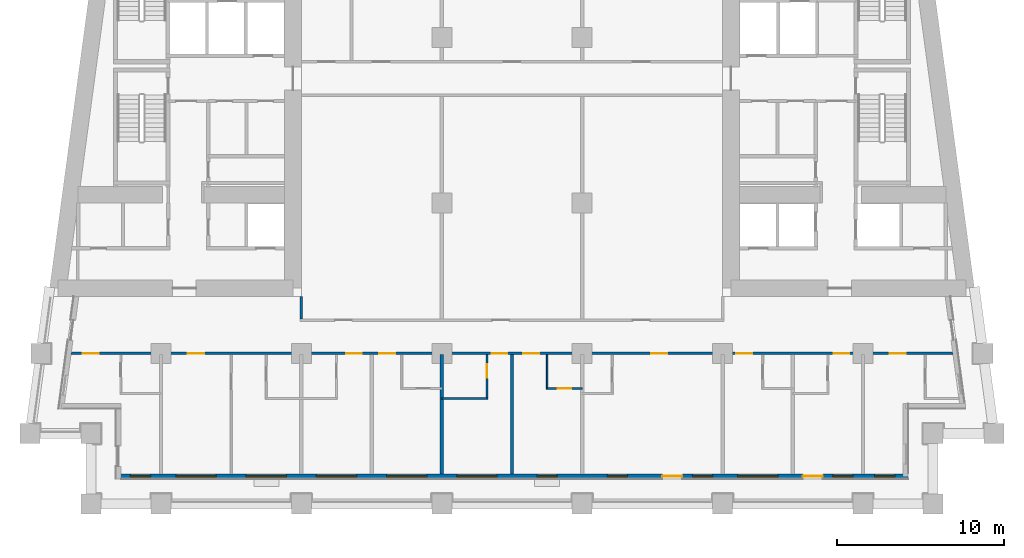
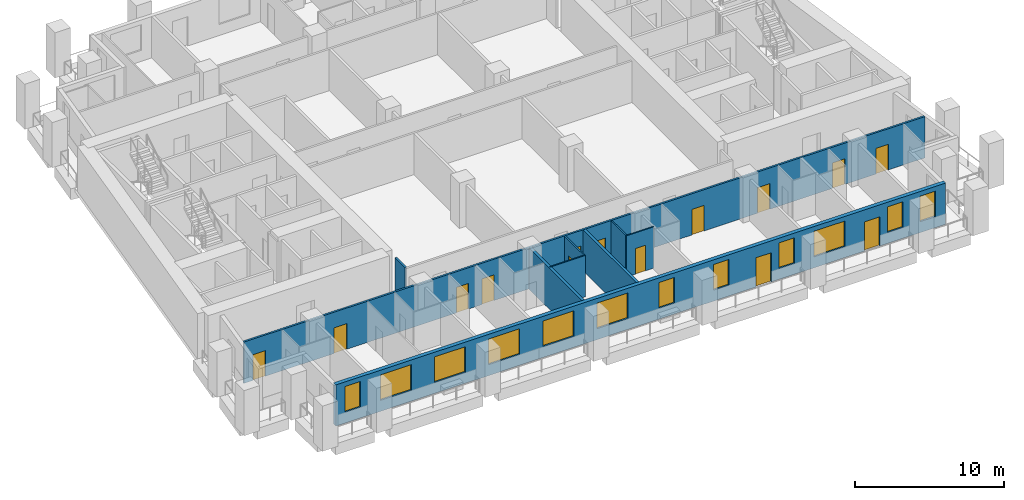
# One storey, part 3 of 13: 14 doors, 12 windows, 9 walls, 26 openings.
"""IFC4 building model written with IfcOpenShell, lengths in metres."""

from ifc_helpers import new_model, si_unit, direction, frame, frame_2d, origin, place, context, subcontext, project, spatial, rectangle, extrude, material, layer, layer_set, type_object, element, fill, save


model = new_model("IFC4")

# Units and contexts
model_context = context("Model", 3, precision=1e-05, world=origin(), true_north=direction((0.0, 1.0)))
body_context = subcontext(model_context, "Body", "Model", "MODEL_VIEW")
ifc_project = project(units=[si_unit("LENGTHUNIT", "METRE"), si_unit("AREAUNIT", "SQUARE_METRE"), si_unit("VOLUMEUNIT", "CUBIC_METRE"), si_unit("PLANEANGLEUNIT", "RADIAN"), si_unit("MASSUNIT", "GRAM", prefix="KILO")], contexts=[model_context])

# Site, building, storey
site_placement = place(None, origin())
site = spatial("IfcSite", under=ifc_project, at=site_placement, CompositionType="ELEMENT")
building_placement = place(site_placement, origin())
building = spatial("IfcBuilding", under=site, at=building_placement, Name="Candeia Pilgrim Tower and Theatre", CompositionType="ELEMENT")
storey_placement = place(building_placement, frame((0.0, 0.0, 94.699951171875)))
storey = spatial("IfcBuildingStorey", under=building, at=storey_placement, Name="L21", CompositionType="ELEMENT", Elevation=94.699951171875)

# Wall, openings, doors, windows
ifc_material_1 = material(Name="Ceramic block masonry", Category="masonry")
ifc_layer_1 = layer(ifc_material_1, 0.300048828125)
ifc_layer_set_1 = layer_set([ifc_layer_1], Name="EW1 glazing-line wall 300")
wall_type_1 = type_object("IfcWallType", Name="EW1 glazing-line wall 300", PredefinedType="SOLIDWALL", material=ifc_layer_set_1)
wall_1_placement = place(storey_placement, frame((89.85009765625, 99.64990234375, 0.0), z_axis=(0.0, 0.0, 1.0), x_axis=(1.0, 0.0, 0.0)))
wall_1 = element("IfcWall", 1, at=wall_1_placement, inside=storey, type_object=wall_type_1, Name="External wall L21-0.0", PredefinedType="SOLIDWALL", context=body_context, shape_type="SweptSolid", body=[
    extrude(rectangle(XDim=47.25, YDim=0.300048828125, at=frame_2d((23.625, 0.0))), origin(), (0.0, 0.0, 1.0), 3.380126953125),
])
opening_1_placement = place(wall_1_placement, frame((0.72509765625, 0.0, 0.89990234375)))
opening_1 = element("IfcOpeningElement", 2, at=opening_1_placement, cuts=wall_1, Name="Opening W-B", PredefinedType="OPENING", context=body_context, shape_type="SweptSolid", body=[
    extrude(rectangle(XDim=1.199951171875, YDim=2.10009765625, at=frame_2d((0.60009765625, 1.050048828125))), frame((0.0, 0.16015625, 0.0), z_axis=(0.0, -1.0, 0.0), x_axis=(1.0, 0.0, 0.0)), (0.0, 0.0, 1.0), 0.320068359375),
])
opening_2_placement = place(wall_1_placement, frame((3.449951171875, 0.0, 0.89990234375)))
opening_2 = element("IfcOpeningElement", 3, at=opening_2_placement, cuts=wall_1, Name="Opening W-A", PredefinedType="OPENING", context=body_context, shape_type="SweptSolid", body=[
    extrude(rectangle(XDim=2.39990234375, YDim=2.10009765625, at=frame_2d((1.199951171875, 1.050048828125))), frame((0.0, 0.16015625, 0.0), z_axis=(0.0, -1.0, 0.0), x_axis=(1.0, 0.0, 0.0)), (0.0, 0.0, 1.0), 0.320068359375),
])
opening_3_placement = place(wall_1_placement, frame((7.64990234375, 0.0, 0.89990234375)))
opening_3 = element("IfcOpeningElement", 4, at=opening_3_placement, cuts=wall_1, Name="Opening W-A", PredefinedType="OPENING", context=body_context, shape_type="SweptSolid", body=[
    extrude(rectangle(XDim=2.39990234375, YDim=2.10009765625, at=frame_2d((1.199951171875, 1.050048828125))), frame((0.0, 0.16015625, 0.0), z_axis=(0.0, -1.0, 0.0), x_axis=(1.0, 0.0, 0.0)), (0.0, 0.0, 1.0), 0.320068359375),
])
opening_4_placement = place(wall_1_placement, frame((11.85009765625, 0.0, 0.89990234375)))
opening_4 = element("IfcOpeningElement", 5, at=opening_4_placement, cuts=wall_1, Name="Opening W-A", PredefinedType="OPENING", context=body_context, shape_type="SweptSolid", body=[
    extrude(rectangle(XDim=2.39990234375, YDim=2.10009765625, at=frame_2d((1.199951171875, 1.050048828125))), frame((0.0, 0.16015625, 0.0), z_axis=(0.0, -1.0, 0.0), x_axis=(1.0, 0.0, 0.0)), (0.0, 0.0, 1.0), 0.320068359375),
])
opening_5_placement = place(wall_1_placement, frame((16.050048828125, 0.0, 0.89990234375)))
opening_5 = element("IfcOpeningElement", 6, at=opening_5_placement, cuts=wall_1, Name="Opening W-A", PredefinedType="OPENING", context=body_context, shape_type="SweptSolid", body=[
    extrude(rectangle(XDim=2.39990234375, YDim=2.10009765625, at=frame_2d((1.199951171875, 1.050048828125))), frame((0.0, 0.16015625, 0.0), z_axis=(0.0, -1.0, 0.0), x_axis=(1.0, 0.0, 0.0)), (0.0, 0.0, 1.0), 0.320068359375),
])
opening_6_placement = place(wall_1_placement, frame((20.25, 0.0, 0.89990234375)))
opening_6 = element("IfcOpeningElement", 7, at=opening_6_placement, cuts=wall_1, Name="Opening W-A", PredefinedType="OPENING", context=body_context, shape_type="SweptSolid", body=[
    extrude(rectangle(XDim=2.39990234375, YDim=2.10009765625, at=frame_2d((1.199951171875, 1.050048828125))), frame((0.0, 0.16015625, 0.0), z_axis=(0.0, -1.0, 0.0), x_axis=(1.0, 0.0, 0.0)), (0.0, 0.0, 1.0), 0.320068359375),
])
opening_7_placement = place(wall_1_placement, frame((25.050048828125, 0.0, 0.89990234375)))
opening_7 = element("IfcOpeningElement", 8, at=opening_7_placement, cuts=wall_1, Name="Opening W-B", PredefinedType="OPENING", context=body_context, shape_type="SweptSolid", body=[
    extrude(rectangle(XDim=1.199951171875, YDim=2.10009765625, at=frame_2d((0.60009765625, 1.050048828125))), frame((0.0, 0.16015625, 0.0), z_axis=(0.0, -1.0, 0.0), x_axis=(1.0, 0.0, 0.0)), (0.0, 0.0, 1.0), 0.320068359375),
])
opening_8_placement = place(wall_1_placement, frame((29.25, 0.0, 0.89990234375)))
opening_8 = element("IfcOpeningElement", 9, at=opening_8_placement, cuts=wall_1, Name="Opening W-B", PredefinedType="OPENING", context=body_context, shape_type="SweptSolid", body=[
    extrude(rectangle(XDim=1.199951171875, YDim=2.10009765625, at=frame_2d((0.60009765625, 1.050048828125))), frame((0.0, 0.16015625, 0.0), z_axis=(0.0, -1.0, 0.0), x_axis=(1.0, 0.0, 0.0)), (0.0, 0.0, 1.0), 0.320068359375),
])
opening_9_placement = place(wall_1_placement, frame((32.550048828125, 0.0, 0.0)))
opening_9 = element("IfcOpeningElement", 10, at=opening_9_placement, cuts=wall_1, Name="Opening L21-ED215", PredefinedType="OPENING", context=body_context, shape_type="SweptSolid", body=[
    extrude(rectangle(XDim=1.199951171875, YDim=2.39990234375, at=frame_2d((0.60009765625, 1.199951171875))), frame((0.0, 0.16015625, 0.0), z_axis=(0.0, -1.0, 0.0), x_axis=(1.0, 0.0, 0.0)), (0.0, 0.0, 1.0), 0.320068359375),
])
opening_10_placement = place(wall_1_placement, frame((34.35009765625, 0.0, 0.89990234375)))
opening_10 = element("IfcOpeningElement", 11, at=opening_10_placement, cuts=wall_1, Name="Opening W-B", PredefinedType="OPENING", context=body_context, shape_type="SweptSolid", body=[
    extrude(rectangle(XDim=1.199951171875, YDim=2.10009765625, at=frame_2d((0.60009765625, 1.050048828125))), frame((0.0, 0.16015625, 0.0), z_axis=(0.0, -1.0, 0.0), x_axis=(1.0, 0.0, 0.0)), (0.0, 0.0, 1.0), 0.320068359375),
])
opening_11_placement = place(wall_1_placement, frame((37.050048828125, 0.0, 0.89990234375)))
opening_11 = element("IfcOpeningElement", 12, at=opening_11_placement, cuts=wall_1, Name="Opening W-A", PredefinedType="OPENING", context=body_context, shape_type="SweptSolid", body=[
    extrude(rectangle(XDim=2.39990234375, YDim=2.10009765625, at=frame_2d((1.199951171875, 1.050048828125))), frame((0.0, 0.16015625, 0.0), z_axis=(0.0, -1.0, 0.0), x_axis=(1.0, 0.0, 0.0)), (0.0, 0.0, 1.0), 0.320068359375),
])
opening_12_placement = place(wall_1_placement, frame((40.949951171875, 0.0, 0.0)))
opening_12 = element("IfcOpeningElement", 13, at=opening_12_placement, cuts=wall_1, Name="Opening L21-ED216", PredefinedType="OPENING", context=body_context, shape_type="SweptSolid", body=[
    extrude(rectangle(XDim=1.199951171875, YDim=2.39990234375, at=frame_2d((0.60009765625, 1.199951171875))), frame((0.0, 0.16015625, 0.0), z_axis=(0.0, -1.0, 0.0), x_axis=(1.0, 0.0, 0.0)), (0.0, 0.0, 1.0), 0.320068359375),
])
opening_13_placement = place(wall_1_placement, frame((42.75, 0.0, 0.89990234375)))
opening_13 = element("IfcOpeningElement", 14, at=opening_13_placement, cuts=wall_1, Name="Opening W-B", PredefinedType="OPENING", context=body_context, shape_type="SweptSolid", body=[
    extrude(rectangle(XDim=1.199951171875, YDim=2.10009765625, at=frame_2d((0.60009765625, 1.050048828125))), frame((0.0, 0.16015625, 0.0), z_axis=(0.0, -1.0, 0.0), x_axis=(1.0, 0.0, 0.0)), (0.0, 0.0, 1.0), 0.320068359375),
])
opening_14_placement = place(wall_1_placement, frame((45.25, 0.0, 0.89990234375)))
opening_14 = element("IfcOpeningElement", 15, at=opening_14_placement, cuts=wall_1, Name="Opening W-B", PredefinedType="OPENING", context=body_context, shape_type="SweptSolid", body=[
    extrude(rectangle(XDim=1.199951171875, YDim=2.10009765625, at=frame_2d((0.60009765625, 1.050048828125))), frame((0.0, 0.16015625, 0.0), z_axis=(0.0, -1.0, 0.0), x_axis=(1.0, 0.0, 0.0)), (0.0, 0.0, 1.0), 0.320068359375),
])
ifc_material_2 = material(Name="Aluminium framed glazed door", Category="aluminium")
door_type_1 = type_object("IfcDoorType", Name="Loggia door 1200x2400", OperationType="DOUBLE_DOOR_SINGLE_SWING", PredefinedType="DOOR", material=ifc_material_2)
door_1_placement = place(opening_9_placement, origin())
door_1 = element("IfcDoor", 16, at=door_1_placement, inside=storey, type_object=door_type_1, Name="Loggia door L21-ED215", OperationType="DOUBLE_DOOR_SINGLE_SWING", OverallHeight=2.39990234375, OverallWidth=1.199951171875, PredefinedType="DOOR", context=body_context, shape_type="SweptSolid", body=[
    extrude(rectangle(XDim=1.199951171875, YDim=2.39990234375, at=frame_2d((0.60009765625, 1.199951171875))), frame((0.0, 0.02490234375, 0.0), z_axis=(0.0, -1.0, 0.0), x_axis=(1.0, 0.0, 0.0)), (0.0, 0.0, 1.0), 0.050048828125),
])
fill(opening_9, door_1)
door_2_placement = place(opening_12_placement, origin())
door_2 = element("IfcDoor", 17, at=door_2_placement, inside=storey, type_object=door_type_1, Name="Loggia door L21-ED216", OperationType="DOUBLE_DOOR_SINGLE_SWING", OverallHeight=2.39990234375, OverallWidth=1.199951171875, PredefinedType="DOOR", context=body_context, shape_type="SweptSolid", body=[
    extrude(rectangle(XDim=1.199951171875, YDim=2.39990234375, at=frame_2d((0.60009765625, 1.199951171875))), frame((0.0, 0.02490234375, 0.0), z_axis=(0.0, -1.0, 0.0), x_axis=(1.0, 0.0, 0.0)), (0.0, 0.0, 1.0), 0.050048828125),
])
fill(opening_12, door_2)
ifc_material_3 = material(Name="Aluminium framed double glazing", Category="aluminium")
window_type_1 = type_object("IfcWindowType", Name="W-A window 2400x2100", PartitioningType="DOUBLE_PANEL_VERTICAL", PredefinedType="WINDOW", material=ifc_material_3)
window_1_placement = place(opening_2_placement, origin())
window_1 = element("IfcWindow", 18, at=window_1_placement, inside=storey, type_object=window_type_1, Name="Window W-A L21", OverallHeight=2.10009765625, OverallWidth=2.39990234375, PartitioningType="SINGLE_PANEL", PredefinedType="WINDOW", context=body_context, shape_type="SweptSolid", body=[
    extrude(rectangle(XDim=2.39990234375, YDim=2.10009765625, at=frame_2d((1.199951171875, 1.050048828125))), frame((0.0, 0.030029296875, 0.0), z_axis=(0.0, -1.0, 0.0), x_axis=(1.0, 0.0, 0.0)), (0.0, 0.0, 1.0), 0.06005859375),
])
fill(opening_2, window_1)
window_2_placement = place(opening_3_placement, origin())
window_2 = element("IfcWindow", 19, at=window_2_placement, inside=storey, type_object=window_type_1, Name="Window W-A L21", OverallHeight=2.10009765625, OverallWidth=2.39990234375, PartitioningType="SINGLE_PANEL", PredefinedType="WINDOW", context=body_context, shape_type="SweptSolid", body=[
    extrude(rectangle(XDim=2.39990234375, YDim=2.10009765625, at=frame_2d((1.199951171875, 1.050048828125))), frame((0.0, 0.030029296875, 0.0), z_axis=(0.0, -1.0, 0.0), x_axis=(1.0, 0.0, 0.0)), (0.0, 0.0, 1.0), 0.06005859375),
])
fill(opening_3, window_2)
window_3_placement = place(opening_4_placement, origin())
window_3 = element("IfcWindow", 20, at=window_3_placement, inside=storey, type_object=window_type_1, Name="Window W-A L21", OverallHeight=2.10009765625, OverallWidth=2.39990234375, PartitioningType="SINGLE_PANEL", PredefinedType="WINDOW", context=body_context, shape_type="SweptSolid", body=[
    extrude(rectangle(XDim=2.39990234375, YDim=2.10009765625, at=frame_2d((1.199951171875, 1.050048828125))), frame((0.0, 0.030029296875, 0.0), z_axis=(0.0, -1.0, 0.0), x_axis=(1.0, 0.0, 0.0)), (0.0, 0.0, 1.0), 0.06005859375),
])
fill(opening_4, window_3)
window_4_placement = place(opening_5_placement, origin())
window_4 = element("IfcWindow", 21, at=window_4_placement, inside=storey, type_object=window_type_1, Name="Window W-A L21", OverallHeight=2.10009765625, OverallWidth=2.39990234375, PartitioningType="SINGLE_PANEL", PredefinedType="WINDOW", context=body_context, shape_type="SweptSolid", body=[
    extrude(rectangle(XDim=2.39990234375, YDim=2.10009765625, at=frame_2d((1.199951171875, 1.050048828125))), frame((0.0, 0.030029296875, 0.0), z_axis=(0.0, -1.0, 0.0), x_axis=(1.0, 0.0, 0.0)), (0.0, 0.0, 1.0), 0.06005859375),
])
fill(opening_5, window_4)
window_5_placement = place(opening_6_placement, origin())
window_5 = element("IfcWindow", 22, at=window_5_placement, inside=storey, type_object=window_type_1, Name="Window W-A L21", OverallHeight=2.10009765625, OverallWidth=2.39990234375, PartitioningType="SINGLE_PANEL", PredefinedType="WINDOW", context=body_context, shape_type="SweptSolid", body=[
    extrude(rectangle(XDim=2.39990234375, YDim=2.10009765625, at=frame_2d((1.199951171875, 1.050048828125))), frame((0.0, 0.030029296875, 0.0), z_axis=(0.0, -1.0, 0.0), x_axis=(1.0, 0.0, 0.0)), (0.0, 0.0, 1.0), 0.06005859375),
])
fill(opening_6, window_5)
window_6_placement = place(opening_11_placement, origin())
window_6 = element("IfcWindow", 23, at=window_6_placement, inside=storey, type_object=window_type_1, Name="Window W-A L21", OverallHeight=2.10009765625, OverallWidth=2.39990234375, PartitioningType="SINGLE_PANEL", PredefinedType="WINDOW", context=body_context, shape_type="SweptSolid", body=[
    extrude(rectangle(XDim=2.39990234375, YDim=2.10009765625, at=frame_2d((1.199951171875, 1.050048828125))), frame((0.0, 0.030029296875, 0.0), z_axis=(0.0, -1.0, 0.0), x_axis=(1.0, 0.0, 0.0)), (0.0, 0.0, 1.0), 0.06005859375),
])
fill(opening_11, window_6)
window_type_2 = type_object("IfcWindowType", Name="W-B window 1200x2100", PartitioningType="SINGLE_PANEL", PredefinedType="WINDOW", material=ifc_material_3)
window_7_placement = place(opening_1_placement, origin())
window_7 = element("IfcWindow", 24, at=window_7_placement, inside=storey, type_object=window_type_2, Name="Window W-B L21", OverallHeight=2.10009765625, OverallWidth=1.199951171875, PartitioningType="SINGLE_PANEL", PredefinedType="WINDOW", context=body_context, shape_type="SweptSolid", body=[
    extrude(rectangle(XDim=1.199951171875, YDim=2.10009765625, at=frame_2d((0.60009765625, 1.050048828125))), frame((0.0, 0.030029296875, 0.0), z_axis=(0.0, -1.0, 0.0), x_axis=(1.0, 0.0, 0.0)), (0.0, 0.0, 1.0), 0.06005859375),
])
fill(opening_1, window_7)
window_8_placement = place(opening_7_placement, origin())
window_8 = element("IfcWindow", 25, at=window_8_placement, inside=storey, type_object=window_type_2, Name="Window W-B L21", OverallHeight=2.10009765625, OverallWidth=1.199951171875, PartitioningType="SINGLE_PANEL", PredefinedType="WINDOW", context=body_context, shape_type="SweptSolid", body=[
    extrude(rectangle(XDim=1.199951171875, YDim=2.10009765625, at=frame_2d((0.60009765625, 1.050048828125))), frame((0.0, 0.030029296875, 0.0), z_axis=(0.0, -1.0, 0.0), x_axis=(1.0, 0.0, 0.0)), (0.0, 0.0, 1.0), 0.06005859375),
])
fill(opening_7, window_8)
window_9_placement = place(opening_8_placement, origin())
window_9 = element("IfcWindow", 26, at=window_9_placement, inside=storey, type_object=window_type_2, Name="Window W-B L21", OverallHeight=2.10009765625, OverallWidth=1.199951171875, PartitioningType="SINGLE_PANEL", PredefinedType="WINDOW", context=body_context, shape_type="SweptSolid", body=[
    extrude(rectangle(XDim=1.199951171875, YDim=2.10009765625, at=frame_2d((0.60009765625, 1.050048828125))), frame((0.0, 0.030029296875, 0.0), z_axis=(0.0, -1.0, 0.0), x_axis=(1.0, 0.0, 0.0)), (0.0, 0.0, 1.0), 0.06005859375),
])
fill(opening_8, window_9)
window_10_placement = place(opening_10_placement, origin())
window_10 = element("IfcWindow", 27, at=window_10_placement, inside=storey, type_object=window_type_2, Name="Window W-B L21", OverallHeight=2.10009765625, OverallWidth=1.199951171875, PartitioningType="SINGLE_PANEL", PredefinedType="WINDOW", context=body_context, shape_type="SweptSolid", body=[
    extrude(rectangle(XDim=1.199951171875, YDim=2.10009765625, at=frame_2d((0.60009765625, 1.050048828125))), frame((0.0, 0.030029296875, 0.0), z_axis=(0.0, -1.0, 0.0), x_axis=(1.0, 0.0, 0.0)), (0.0, 0.0, 1.0), 0.06005859375),
])
fill(opening_10, window_10)
window_11_placement = place(opening_13_placement, origin())
window_11 = element("IfcWindow", 28, at=window_11_placement, inside=storey, type_object=window_type_2, Name="Window W-B L21", OverallHeight=2.10009765625, OverallWidth=1.199951171875, PartitioningType="SINGLE_PANEL", PredefinedType="WINDOW", context=body_context, shape_type="SweptSolid", body=[
    extrude(rectangle(XDim=1.199951171875, YDim=2.10009765625, at=frame_2d((0.60009765625, 1.050048828125))), frame((0.0, 0.030029296875, 0.0), z_axis=(0.0, -1.0, 0.0), x_axis=(1.0, 0.0, 0.0)), (0.0, 0.0, 1.0), 0.06005859375),
])
fill(opening_13, window_11)
window_12_placement = place(opening_14_placement, origin())
window_12 = element("IfcWindow", 29, at=window_12_placement, inside=storey, type_object=window_type_2, Name="Window W-B L21", OverallHeight=2.10009765625, OverallWidth=1.199951171875, PartitioningType="SINGLE_PANEL", PredefinedType="WINDOW", context=body_context, shape_type="SweptSolid", body=[
    extrude(rectangle(XDim=1.199951171875, YDim=2.10009765625, at=frame_2d((0.60009765625, 1.050048828125))), frame((0.0, 0.030029296875, 0.0), z_axis=(0.0, -1.0, 0.0), x_axis=(1.0, 0.0, 0.0)), (0.0, 0.0, 1.0), 0.06005859375),
])
fill(opening_14, window_12)

# Wall
ifc_material_4 = material(Name="Gypsum board partition on steel studs", Category="steel")
ifc_layer_2 = layer(ifc_material_4, 0.10009765625)
ifc_layer_set_2 = layer_set([ifc_layer_2], Name="PW-100 room partition")
wall_type_2 = type_object("IfcWallType", Name="PW-100 room partition", PredefinedType="PARTITIONING", material=ifc_layer_set_2)
wall_2_placement = place(storey_placement, frame((109.199951171875, 104.300048828125, 0.0), z_axis=(0.0, 0.0, 1.0), x_axis=(1.0, 0.0, 0.0)))
element("IfcWall", 30, at=wall_2_placement, inside=storey, type_object=wall_type_2, Name="Room partition L21-002", PredefinedType="PARTITIONING", context=body_context, shape_type="SweptSolid", body=[
    extrude(rectangle(XDim=2.75, YDim=0.10009765625, at=frame_2d((1.375, 0.0))), origin(), (0.0, 0.0, 1.0), 3.380126953125),
])

# Wall, opening, door
wall_3_placement = place(storey_placement, frame((115.449951171875, 104.89990234375, 0.0), z_axis=(0.0, 0.0, 1.0), x_axis=(1.0, 0.0, 0.0)))
wall_3 = element("IfcWall", 31, at=wall_3_placement, inside=storey, type_object=wall_type_2, Name="Room partition L21-008", PredefinedType="PARTITIONING", context=body_context, shape_type="SweptSolid", body=[
    extrude(rectangle(XDim=2.150146484375, YDim=0.10009765625, at=frame_2d((1.0751953125, 0.0))), origin(), (0.0, 0.0, 1.0), 3.380126953125),
])
opening_15_placement = place(wall_3_placement, frame((0.699951171875, 0.0, 0.0)))
opening_15 = element("IfcOpeningElement", 32, at=opening_15_placement, cuts=wall_3, Name="Opening L21-D029", PredefinedType="OPENING", context=body_context, shape_type="SweptSolid", body=[
    extrude(rectangle(XDim=0.800048828125, YDim=2.10009765625, at=frame_2d((0.39990234375, 1.050048828125))), frame((0.0, 0.06005859375, 0.0), z_axis=(0.0, -1.0, 0.0), x_axis=(1.0, 0.0, 0.0)), (0.0, 0.0, 1.0), 0.1201171875),
])
ifc_material_5 = material(Name="Timber door leaf", Category="wood")
door_type_2 = type_object("IfcDoorType", Name="D-800", OperationType="NOTDEFINED", PredefinedType="DOOR", material=ifc_material_5)
door_3_placement = place(opening_15_placement, origin())
door_3 = element("IfcDoor", 33, at=door_3_placement, inside=storey, type_object=door_type_2, Name="Door L21-D029", OperationType="SINGLE_SWING_RIGHT", OverallHeight=2.10009765625, OverallWidth=0.800048828125, PredefinedType="DOOR", context=body_context, shape_type="SweptSolid", body=[
    extrude(rectangle(XDim=0.800048828125, YDim=2.10009765625, at=frame_2d((0.39990234375, 1.050048828125))), frame((0.0, 0.02490234375, 0.0), z_axis=(0.0, -1.0, 0.0), x_axis=(1.0, 0.0, 0.0)), (0.0, 0.0, 1.0), 0.050048828125),
])
fill(opening_15, door_3)

wall_4_placement = place(storey_placement, frame((111.89990234375, 104.35009765625, 0.0), z_axis=(0.0, 0.0, 1.0), x_axis=(0.0, 1.0, 0.0)))
wall_4 = element("IfcWall", 34, at=wall_4_placement, inside=storey, type_object=wall_type_2, Name="Room partition L21-085", PredefinedType="PARTITIONING", context=body_context, shape_type="SweptSolid", body=[
    extrude(rectangle(XDim=2.574951171875, YDim=0.10009765625, at=frame_2d((1.28759765625, 0.0))), origin(), (0.0, 0.0, 1.0), 3.380126953125),
])
opening_16_placement = place(wall_4_placement, frame((1.199951171875, 0.0, 0.0)))
opening_16 = element("IfcOpeningElement", 35, at=opening_16_placement, cuts=wall_4, Name="Opening L21-D027", PredefinedType="OPENING", context=body_context, shape_type="SweptSolid", body=[
    extrude(rectangle(XDim=0.800048828125, YDim=2.10009765625, at=frame_2d((0.39990234375, 1.050048828125))), frame((0.0, 0.06005859375, 0.0), z_axis=(0.0, -1.0, 0.0), x_axis=(1.0, 0.0, 0.0)), (0.0, 0.0, 1.0), 0.1201171875),
])
door_4_placement = place(opening_16_placement, origin())
door_4 = element("IfcDoor", 36, at=door_4_placement, inside=storey, type_object=door_type_2, Name="Door L21-D027", OperationType="SINGLE_SWING_RIGHT", OverallHeight=2.10009765625, OverallWidth=0.800048828125, PredefinedType="DOOR", context=body_context, shape_type="SweptSolid", body=[
    extrude(rectangle(XDim=0.800048828125, YDim=2.10009765625, at=frame_2d((0.39990234375, 1.050048828125))), frame((0.0, 0.02490234375, 0.0), z_axis=(0.0, -1.0, 0.0), x_axis=(1.0, 0.0, 0.0)), (0.0, 0.0, 1.0), 0.050048828125),
])
fill(opening_16, door_4)

# Wall
wall_5_placement = place(storey_placement, frame((115.5, 104.949951171875, 0.0), z_axis=(0.0, 0.0, 1.0), x_axis=(0.0, 1.0, 0.0)))
element("IfcWall", 37, at=wall_5_placement, inside=storey, type_object=wall_type_2, Name="Room partition L21-088", PredefinedType="PARTITIONING", context=body_context, shape_type="SweptSolid", body=[
    extrude(rectangle(XDim=1.97509765625, YDim=0.10009765625, at=frame_2d((0.987548828125, 0.0))), origin(), (0.0, 0.0, 1.0), 3.380126953125),
])

# Wall, openings, doors
ifc_layer_3 = layer(ifc_material_4, 0.14990234375)
ifc_layer_set_3 = layer_set([ifc_layer_3], Name="PW-150 unit wall")
wall_type_3 = type_object("IfcWallType", Name="PW-150 unit wall", PredefinedType="PARTITIONING", material=ifc_layer_set_3)
wall_6_placement = place(storey_placement, frame((87.017578125, 107.0, 0.0), z_axis=(0.0, 0.0, 1.0), x_axis=(1.0, 0.0, 0.0)))
wall_6 = element("IfcWall", 38, at=wall_6_placement, inside=storey, type_object=wall_type_3, Name="Unit wall L21-010", PredefinedType="PARTITIONING", context=body_context, shape_type="SweptSolid", body=[
    extrude(rectangle(XDim=52.7646484375, YDim=0.14990234375, at=frame_2d((26.38232421875, 0.0))), origin(), (0.0, 0.0, 1.0), 3.380126953125),
])
opening_17_placement = place(wall_6_placement, frame((0.707275390625, 0.0, 0.0)))
opening_17 = element("IfcOpeningElement", 39, at=opening_17_placement, cuts=wall_6, Name="Opening L21-D017", PredefinedType="OPENING", context=body_context, shape_type="SweptSolid", body=[
    extrude(rectangle(XDim=0.949951171875, YDim=2.10009765625, at=frame_2d((0.47509765625, 1.050048828125))), frame((0.0, 0.0849609375, 0.0), z_axis=(0.0, -1.0, 0.0), x_axis=(1.0, 0.0, 0.0)), (0.0, 0.0, 1.0), 0.169921875),
])
opening_18_placement = place(wall_6_placement, frame((6.982421875, 0.0, 0.0)))
opening_18 = element("IfcOpeningElement", 40, at=opening_18_placement, cuts=wall_6, Name="Opening L21-D019", PredefinedType="OPENING", context=body_context, shape_type="SweptSolid", body=[
    extrude(rectangle(XDim=1.0, YDim=2.10009765625, at=frame_2d((0.5, 1.050048828125))), frame((0.0, 0.0849609375, 0.0), z_axis=(0.0, -1.0, 0.0), x_axis=(1.0, 0.0, 0.0)), (0.0, 0.0, 1.0), 0.169921875),
])
opening_19_placement = place(wall_6_placement, frame((16.457275390625, 0.0, 0.0)))
opening_19 = element("IfcOpeningElement", 41, at=opening_19_placement, cuts=wall_6, Name="Opening L21-D022", PredefinedType="OPENING", context=body_context, shape_type="SweptSolid", body=[
    extrude(rectangle(XDim=0.949951171875, YDim=2.10009765625, at=frame_2d((0.47509765625, 1.050048828125))), frame((0.0, 0.0849609375, 0.0), z_axis=(0.0, -1.0, 0.0), x_axis=(1.0, 0.0, 0.0)), (0.0, 0.0, 1.0), 0.169921875),
])
opening_20_placement = place(wall_6_placement, frame((18.4453125, 0.0, 0.0)))
opening_20 = element("IfcOpeningElement", 42, at=opening_20_placement, cuts=wall_6, Name="Opening L21-D024", PredefinedType="OPENING", context=body_context, shape_type="SweptSolid", body=[
    extrude(rectangle(XDim=0.949951171875, YDim=2.10009765625, at=frame_2d((0.47509765625, 1.050048828125))), frame((0.0, 0.0849609375, 0.0), z_axis=(0.0, -1.0, 0.0), x_axis=(1.0, 0.0, 0.0)), (0.0, 0.0, 1.0), 0.169921875),
])
opening_21_placement = place(wall_6_placement, frame((25.1572265625, 0.0, 0.0)))
opening_21 = element("IfcOpeningElement", 43, at=opening_21_placement, cuts=wall_6, Name="Opening L21-D026", PredefinedType="OPENING", context=body_context, shape_type="SweptSolid", body=[
    extrude(rectangle(XDim=0.949951171875, YDim=2.10009765625, at=frame_2d((0.47509765625, 1.050048828125))), frame((0.0, 0.0849609375, 0.0), z_axis=(0.0, -1.0, 0.0), x_axis=(1.0, 0.0, 0.0)), (0.0, 0.0, 1.0), 0.169921875),
])
opening_22_placement = place(wall_6_placement, frame((27.0703125, 0.0, 0.0)))
opening_22 = element("IfcOpeningElement", 44, at=opening_22_placement, cuts=wall_6, Name="Opening L21-D028", PredefinedType="OPENING", context=body_context, shape_type="SweptSolid", body=[
    extrude(rectangle(XDim=0.949951171875, YDim=2.10009765625, at=frame_2d((0.47509765625, 1.050048828125))), frame((0.0, 0.0849609375, 0.0), z_axis=(0.0, -1.0, 0.0), x_axis=(1.0, 0.0, 0.0)), (0.0, 0.0, 1.0), 0.169921875),
])
opening_23_placement = place(wall_6_placement, frame((34.71240234375, 0.0, 0.0)))
opening_23 = element("IfcOpeningElement", 45, at=opening_23_placement, cuts=wall_6, Name="Opening L21-D030", PredefinedType="OPENING", context=body_context, shape_type="SweptSolid", body=[
    extrude(rectangle(XDim=0.949951171875, YDim=2.10009765625, at=frame_2d((0.47509765625, 1.050048828125))), frame((0.0, 0.0849609375, 0.0), z_axis=(0.0, -1.0, 0.0), x_axis=(1.0, 0.0, 0.0)), (0.0, 0.0, 1.0), 0.169921875),
])
opening_24_placement = place(wall_6_placement, frame((39.807373046875, 0.0, 0.0)))
opening_24 = element("IfcOpeningElement", 46, at=opening_24_placement, cuts=wall_6, Name="Opening L21-D032", PredefinedType="OPENING", context=body_context, shape_type="SweptSolid", body=[
    extrude(rectangle(XDim=0.949951171875, YDim=2.10009765625, at=frame_2d((0.47509765625, 1.050048828125))), frame((0.0, 0.0849609375, 0.0), z_axis=(0.0, -1.0, 0.0), x_axis=(1.0, 0.0, 0.0)), (0.0, 0.0, 1.0), 0.169921875),
])
opening_25_placement = place(wall_6_placement, frame((45.622314453125, 0.0, 0.0)))
opening_25 = element("IfcOpeningElement", 47, at=opening_25_placement, cuts=wall_6, Name="Opening L21-D034", PredefinedType="OPENING", context=body_context, shape_type="SweptSolid", body=[
    extrude(rectangle(XDim=0.949951171875, YDim=2.10009765625, at=frame_2d((0.47509765625, 1.050048828125))), frame((0.0, 0.0849609375, 0.0), z_axis=(0.0, -1.0, 0.0), x_axis=(1.0, 0.0, 0.0)), (0.0, 0.0, 1.0), 0.169921875),
])
opening_26_placement = place(wall_6_placement, frame((48.974365234375, 0.0, 0.0)))
opening_26 = element("IfcOpeningElement", 48, at=opening_26_placement, cuts=wall_6, Name="Opening L21-D036", PredefinedType="OPENING", context=body_context, shape_type="SweptSolid", body=[
    extrude(rectangle(XDim=0.949951171875, YDim=2.10009765625, at=frame_2d((0.47509765625, 1.050048828125))), frame((0.0, 0.0849609375, 0.0), z_axis=(0.0, -1.0, 0.0), x_axis=(1.0, 0.0, 0.0)), (0.0, 0.0, 1.0), 0.169921875),
])
ifc_material_6 = material(Name="Steel fire door set", Category="steel")
door_type_3 = type_object("IfcDoorType", Name="D-1000-FD30S", OperationType="NOTDEFINED", PredefinedType="DOOR", material=ifc_material_6)
door_5_placement = place(opening_18_placement, origin())
door_5 = element("IfcDoor", 49, at=door_5_placement, inside=storey, type_object=door_type_3, Name="Door L21-D019", OperationType="SINGLE_SWING_RIGHT", OverallHeight=2.10009765625, OverallWidth=1.0, PredefinedType="DOOR", context=body_context, shape_type="SweptSolid", body=[
    extrude(rectangle(XDim=1.0, YDim=2.10009765625, at=frame_2d((0.5, 1.050048828125))), frame((0.0, 0.02490234375, 0.0), z_axis=(0.0, -1.0, 0.0), x_axis=(1.0, 0.0, 0.0)), (0.0, 0.0, 1.0), 0.050048828125),
])
fill(opening_18, door_5)
door_type_4 = type_object("IfcDoorType", Name="D-950-FD30S", OperationType="NOTDEFINED", PredefinedType="DOOR", material=ifc_material_6)
door_6_placement = place(opening_17_placement, origin())
door_6 = element("IfcDoor", 50, at=door_6_placement, inside=storey, type_object=door_type_4, Name="Door L21-D017", OperationType="SINGLE_SWING_RIGHT", OverallHeight=2.10009765625, OverallWidth=0.949951171875, PredefinedType="DOOR", context=body_context, shape_type="SweptSolid", body=[
    extrude(rectangle(XDim=0.949951171875, YDim=2.10009765625, at=frame_2d((0.47509765625, 1.050048828125))), frame((0.0, 0.02490234375, 0.0), z_axis=(0.0, -1.0, 0.0), x_axis=(1.0, 0.0, 0.0)), (0.0, 0.0, 1.0), 0.050048828125),
])
fill(opening_17, door_6)
door_7_placement = place(opening_19_placement, origin())
door_7 = element("IfcDoor", 51, at=door_7_placement, inside=storey, type_object=door_type_4, Name="Door L21-D022", OperationType="SINGLE_SWING_LEFT", OverallHeight=2.10009765625, OverallWidth=0.949951171875, PredefinedType="DOOR", context=body_context, shape_type="SweptSolid", body=[
    extrude(rectangle(XDim=0.949951171875, YDim=2.10009765625, at=frame_2d((0.47509765625, 1.050048828125))), frame((0.0, 0.02490234375, 0.0), z_axis=(0.0, -1.0, 0.0), x_axis=(1.0, 0.0, 0.0)), (0.0, 0.0, 1.0), 0.050048828125),
])
fill(opening_19, door_7)
door_8_placement = place(opening_20_placement, origin())
door_8 = element("IfcDoor", 52, at=door_8_placement, inside=storey, type_object=door_type_4, Name="Door L21-D024", OperationType="SINGLE_SWING_LEFT", OverallHeight=2.10009765625, OverallWidth=0.949951171875, PredefinedType="DOOR", context=body_context, shape_type="SweptSolid", body=[
    extrude(rectangle(XDim=0.949951171875, YDim=2.10009765625, at=frame_2d((0.47509765625, 1.050048828125))), frame((0.0, 0.02490234375, 0.0), z_axis=(0.0, -1.0, 0.0), x_axis=(1.0, 0.0, 0.0)), (0.0, 0.0, 1.0), 0.050048828125),
])
fill(opening_20, door_8)
door_9_placement = place(opening_21_placement, origin())
door_9 = element("IfcDoor", 53, at=door_9_placement, inside=storey, type_object=door_type_4, Name="Door L21-D026", OperationType="SINGLE_SWING_LEFT", OverallHeight=2.10009765625, OverallWidth=0.949951171875, PredefinedType="DOOR", context=body_context, shape_type="SweptSolid", body=[
    extrude(rectangle(XDim=0.949951171875, YDim=2.10009765625, at=frame_2d((0.47509765625, 1.050048828125))), frame((0.0, 0.02490234375, 0.0), z_axis=(0.0, -1.0, 0.0), x_axis=(1.0, 0.0, 0.0)), (0.0, 0.0, 1.0), 0.050048828125),
])
fill(opening_21, door_9)
door_10_placement = place(opening_22_placement, origin())
door_10 = element("IfcDoor", 54, at=door_10_placement, inside=storey, type_object=door_type_4, Name="Door L21-D028", OperationType="SINGLE_SWING_LEFT", OverallHeight=2.10009765625, OverallWidth=0.949951171875, PredefinedType="DOOR", context=body_context, shape_type="SweptSolid", body=[
    extrude(rectangle(XDim=0.949951171875, YDim=2.10009765625, at=frame_2d((0.47509765625, 1.050048828125))), frame((0.0, 0.02490234375, 0.0), z_axis=(0.0, -1.0, 0.0), x_axis=(1.0, 0.0, 0.0)), (0.0, 0.0, 1.0), 0.050048828125),
])
fill(opening_22, door_10)
door_11_placement = place(opening_23_placement, origin())
door_11 = element("IfcDoor", 55, at=door_11_placement, inside=storey, type_object=door_type_4, Name="Door L21-D030", OperationType="SINGLE_SWING_LEFT", OverallHeight=2.10009765625, OverallWidth=0.949951171875, PredefinedType="DOOR", context=body_context, shape_type="SweptSolid", body=[
    extrude(rectangle(XDim=0.949951171875, YDim=2.10009765625, at=frame_2d((0.47509765625, 1.050048828125))), frame((0.0, 0.02490234375, 0.0), z_axis=(0.0, -1.0, 0.0), x_axis=(1.0, 0.0, 0.0)), (0.0, 0.0, 1.0), 0.050048828125),
])
fill(opening_23, door_11)
door_12_placement = place(opening_24_placement, origin())
door_12 = element("IfcDoor", 56, at=door_12_placement, inside=storey, type_object=door_type_4, Name="Door L21-D032", OperationType="SINGLE_SWING_LEFT", OverallHeight=2.10009765625, OverallWidth=0.949951171875, PredefinedType="DOOR", context=body_context, shape_type="SweptSolid", body=[
    extrude(rectangle(XDim=0.949951171875, YDim=2.10009765625, at=frame_2d((0.47509765625, 1.050048828125))), frame((0.0, 0.02490234375, 0.0), z_axis=(0.0, -1.0, 0.0), x_axis=(1.0, 0.0, 0.0)), (0.0, 0.0, 1.0), 0.050048828125),
])
fill(opening_24, door_12)
door_13_placement = place(opening_25_placement, origin())
door_13 = element("IfcDoor", 57, at=door_13_placement, inside=storey, type_object=door_type_4, Name="Door L21-D034", OperationType="SINGLE_SWING_LEFT", OverallHeight=2.10009765625, OverallWidth=0.949951171875, PredefinedType="DOOR", context=body_context, shape_type="SweptSolid", body=[
    extrude(rectangle(XDim=0.949951171875, YDim=2.10009765625, at=frame_2d((0.47509765625, 1.050048828125))), frame((0.0, 0.02490234375, 0.0), z_axis=(0.0, -1.0, 0.0), x_axis=(1.0, 0.0, 0.0)), (0.0, 0.0, 1.0), 0.050048828125),
])
fill(opening_25, door_13)
door_14_placement = place(opening_26_placement, origin())
door_14 = element("IfcDoor", 58, at=door_14_placement, inside=storey, type_object=door_type_4, Name="Door L21-D036", OperationType="SINGLE_SWING_LEFT", OverallHeight=2.10009765625, OverallWidth=0.949951171875, PredefinedType="DOOR", context=body_context, shape_type="SweptSolid", body=[
    extrude(rectangle(XDim=0.949951171875, YDim=2.10009765625, at=frame_2d((0.47509765625, 1.050048828125))), frame((0.0, 0.02490234375, 0.0), z_axis=(0.0, -1.0, 0.0), x_axis=(1.0, 0.0, 0.0)), (0.0, 0.0, 1.0), 0.050048828125),
])
fill(opening_26, door_14)

# Walls
wall_7_placement = place(storey_placement, frame((100.800048828125, 109.074951171875, 0.0), z_axis=(0.0, 0.0, 1.0), x_axis=(0.0, 1.0, 0.0)))
element("IfcWall", 59, at=wall_7_placement, inside=storey, type_object=wall_type_3, Name="Unit wall L21-074", PredefinedType="PARTITIONING", context=body_context, shape_type="SweptSolid", body=[
    extrude(rectangle(XDim=1.324951171875, YDim=0.14990234375, at=frame_2d((0.66259765625, 0.0))), origin(), (0.0, 0.0, 1.0), 3.380126953125),
])
ifc_layer_4 = layer(ifc_material_4, 0.199951171875)
ifc_layer_set_4 = layer_set([ifc_layer_4], Name="PW-200 party wall")
wall_type_4 = type_object("IfcWallType", Name="PW-200 party wall", PredefinedType="PARTITIONING", material=ifc_layer_set_4)
for number, where, z_axis, x_axis, name in (
    (60, (109.199951171875, 99.7900390625, 0.0), (0.0, 0.0, 1.0), (0.0, 1.0, 0.0), "Party wall L21-081"),
    (61, (113.39990234375, 99.7900390625, 0.0), (0.0, 0.0, 1.0), (0.0, 1.0, 0.0), "Party wall L21-086"),
):
    element("IfcWall", number, at=place(storey_placement, frame(where, z_axis=z_axis, x_axis=x_axis)), inside=storey, type_object=wall_type_4, Name=name, PredefinedType="PARTITIONING", context=body_context, shape_type="SweptSolid", body=[
        extrude(rectangle(XDim=7.135009765625, YDim=0.199951171875, at=frame_2d((3.5673828125, 0.0))), origin(), (0.0, 0.0, 1.0), 3.380126953125),
    ])

save(model, "model.ifc")
